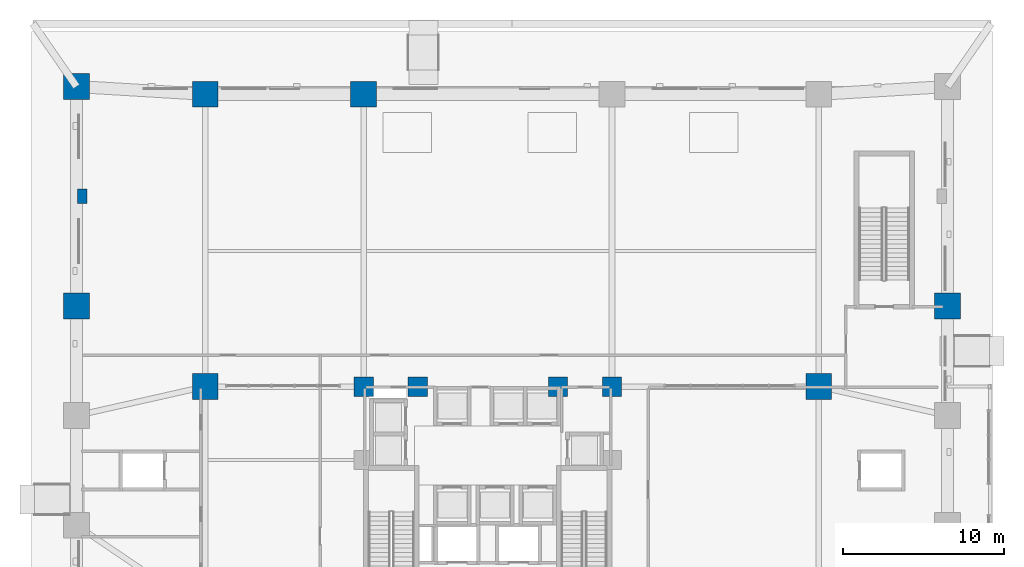
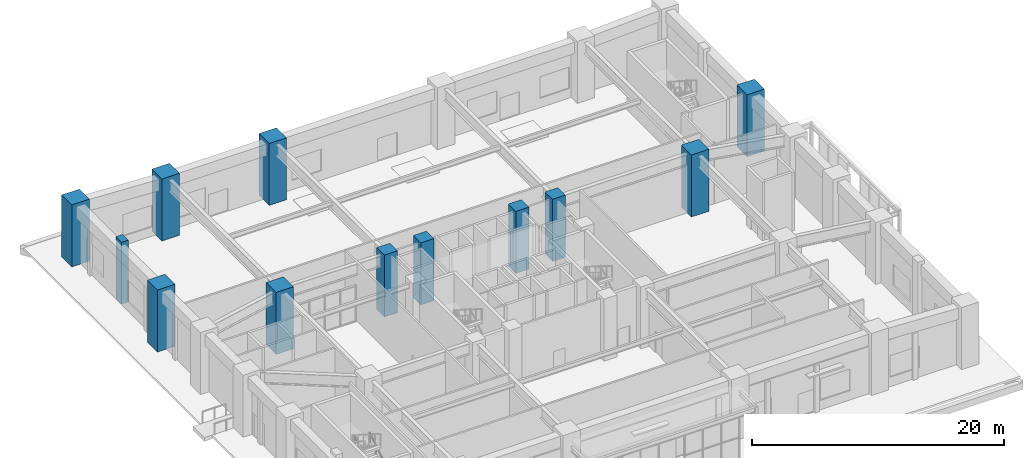
# One storey, part 4 of 24: 12 columns.
"""IFC4 building model written with IfcOpenShell, lengths in metres."""

from ifc_helpers import new_model, si_unit, derived_unit, direction, frame, origin, origin_2d, place, context, subcontext, project, spatial, rectangle, extrude, material, material_profile, profile_set, type_object, element, save


model = new_model("IFC4")

# Units and contexts
model_context = context("Model", 3, precision=1e-05, world=origin(), true_north=direction((0.0, 1.0)))
body_context = subcontext(model_context, "Body", "Model", "MODEL_VIEW")
ifc_project = project(units=[si_unit("LENGTHUNIT", "METRE"), si_unit("AREAUNIT", "SQUARE_METRE"), si_unit("VOLUMEUNIT", "CUBIC_METRE"), si_unit("PLANEANGLEUNIT", "RADIAN"), si_unit("MASSUNIT", "GRAM", prefix="KILO"), derived_unit("THERMALTRANSMITTANCEUNIT", [(si_unit("MASSUNIT", "GRAM", prefix="KILO"), 1), (si_unit("TIMEUNIT", "SECOND"), -3), (si_unit("THERMODYNAMICTEMPERATUREUNIT", "KELVIN"), -1)])], contexts=[model_context])

# Site, building, storey
site_placement = place(None, origin())
site = spatial("IfcSite", under=ifc_project, at=site_placement, CompositionType="ELEMENT")
building_placement = place(site_placement, origin())
building = spatial("IfcBuilding", under=site, at=building_placement, Name="Korrvale Station Residences", CompositionType="ELEMENT")
storey_placement = place(building_placement, origin())
storey = spatial("IfcBuildingStorey", under=building, at=storey_placement, Name="L00", CompositionType="ELEMENT", Elevation=0.0)

# Columns
ifc_material = material(Name="Concrete C70/85", Category="concrete")
ifc_material_profile_1 = material_profile(ifc_material, rectangle(XDim=1.199951171875, YDim=1.199951171875, at=origin_2d()), Name="RC1200x1200")
ifc_profile_set_1 = profile_set([ifc_material_profile_1], Name="Concrete C70/85")
column_type_1 = type_object("IfcColumnType", Name="COL-C-RC1200x1200-C7085", PredefinedType="COLUMN", material=ifc_profile_set_1)
for number, where, z_axis, x_axis, name in (
    (1, (17.800048828125, 29.0, 0.0), (0.0, 0.0, 1.0), (1.0, 0.0, 0.0), "L00 Core Column 29"),
    (2, (21.14990234375, 29.0, 0.0), (0.0, 0.0, 1.0), (1.0, 0.0, 0.0), "L00 Core Column 30"),
    (3, (29.85009765625, 29.0, 0.0), (0.0, 0.0, 1.0), (1.0, 0.0, 0.0), "L00 Core Column 31"),
    (4, (33.199951171875, 29.0, 0.0), (0.0, 0.0, 1.0), (1.0, 0.0, 0.0), "L00 Core Column 32"),
):
    element("IfcColumn", number, at=place(storey_placement, frame(where, z_axis=z_axis, x_axis=x_axis)), inside=storey, type_object=column_type_1, Name=name, PredefinedType="COLUMN", context=body_context, shape_type="SweptSolid", body=[
        extrude(rectangle(XDim=1.199951171875, YDim=1.199951171875, at=origin_2d()), origin(), (0.0, 0.0, 1.0), 6.0),
    ])
ifc_material_profile_2 = material_profile(ifc_material, rectangle(XDim=1.60009765625, YDim=1.60009765625, at=origin_2d()), Name="RC1600x1600")
ifc_profile_set_2 = profile_set([ifc_material_profile_2], Name="Concrete C70/85")
column_type_2 = type_object("IfcColumnType", Name="COL-C-RC1600x1600-C7085", PredefinedType="COLUMN", material=ifc_profile_set_2)
for number, where, z_axis, x_axis, name in (
    (5, (0.0, 34.0, 0.0), (0.0, 0.0, 1.0), (1.0, 0.0, 0.0), "L00 Station Mega-Column 05"),
    (6, (0.0, 47.60009765625, 0.0), (0.0, 0.0, 1.0), (1.0, 0.0, 0.0), "L00 Station Mega-Column 06"),
    (7, (54.0, 34.0, 0.0), (0.0, 0.0, 1.0), (1.0, 0.0, 0.0), "L00 Station Mega-Column 11"),
    (8, (7.97998046875, 29.0, 0.0), (0.0, 0.0, 1.0), (1.0, 0.0, 0.0), "L00 Station Mega-Column 15"),
    (9, (7.97998046875, 47.1201171875, 0.0), (0.0, 0.0, 1.0), (1.0, 0.0, 0.0), "L00 Station Mega-Column 16"),
    (10, (46.02001953125, 29.0, 0.0), (0.0, 0.0, 1.0), (1.0, 0.0, 0.0), "L00 Station Mega-Column 19"),
    (11, (17.800048828125, 47.1201171875, 0.0), (0.0, 0.0, 1.0), (1.0, 0.0, 0.0), "L00 Station Mega-Column 22"),
):
    element("IfcColumn", number, at=place(storey_placement, frame(where, z_axis=z_axis, x_axis=x_axis)), inside=storey, type_object=column_type_2, Name=name, PredefinedType="COLUMN", context=body_context, shape_type="SweptSolid", body=[
        extrude(rectangle(XDim=1.60009765625, YDim=1.60009765625, at=origin_2d()), origin(), (0.0, 0.0, 1.0), 6.0),
    ])
ifc_material_profile_3 = material_profile(ifc_material, rectangle(XDim=0.60009765625, YDim=0.89990234375, at=origin_2d()), Name="RC600x900")
ifc_profile_set_3 = profile_set([ifc_material_profile_3], Name="Concrete C70/85")
column_type_3 = type_object("IfcColumnType", Name="COL-PIL-RC600x900-C7085", PredefinedType="PILASTER", material=ifc_profile_set_3)
column_placement = place(storey_placement, frame((0.35009765625, 40.800048828125, 0.0), z_axis=(0.0, 0.0, 1.0), x_axis=(1.0, 0.0, 0.0)))
element("IfcColumn", 12, at=column_placement, inside=storey, type_object=column_type_3, Name="L00 Concourse Portal Wall Pilaster 2", PredefinedType="PILASTER", context=body_context, shape_type="SweptSolid", body=[
    extrude(rectangle(XDim=0.60009765625, YDim=0.89990234375, at=origin_2d()), origin(), (0.0, 0.0, 1.0), 6.0),
])

save(model, "model.ifc")
